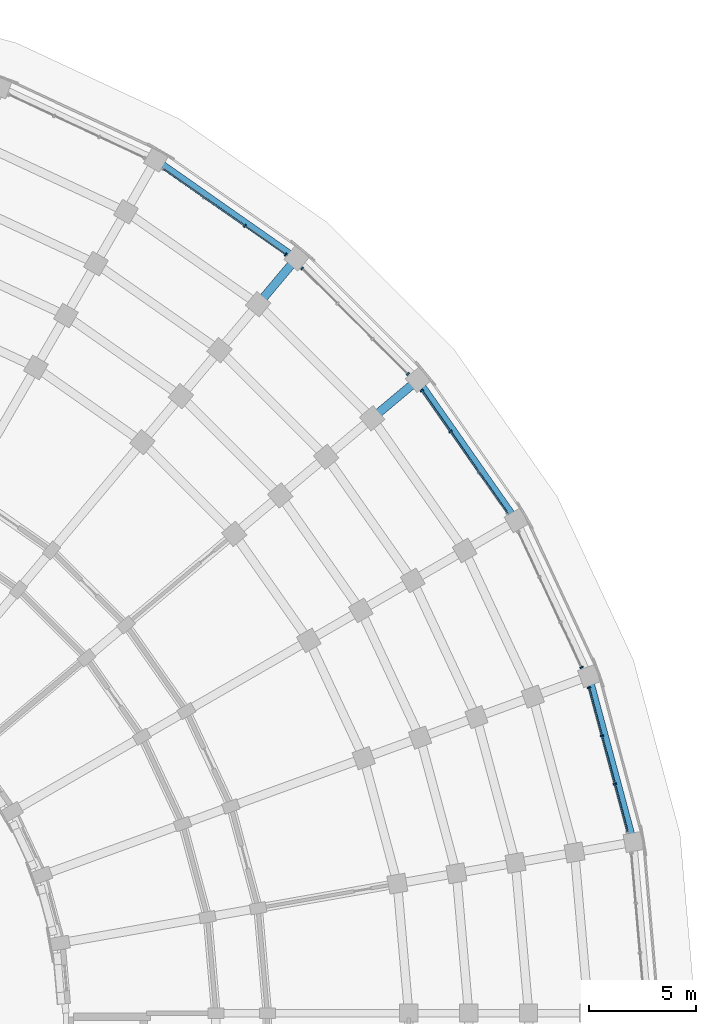
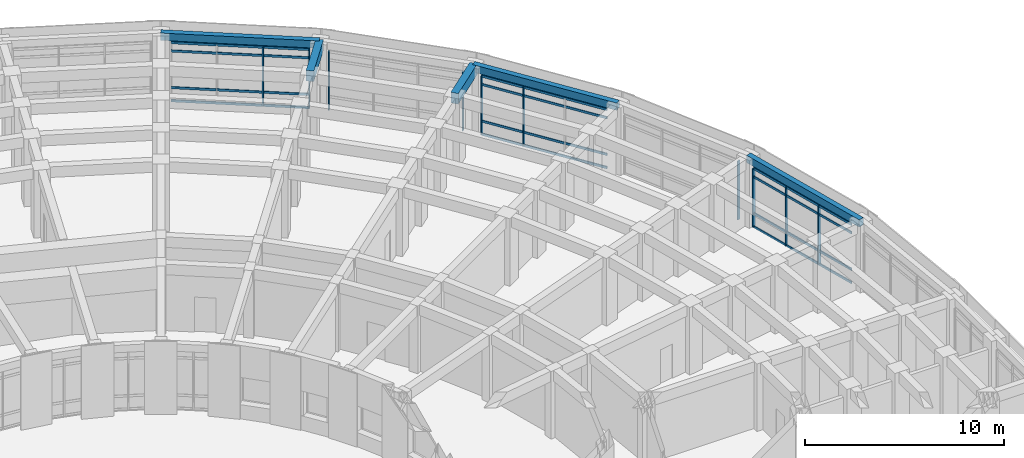
# One storey, part 53 of 135: 22 members, 5 beams, 5 elements without a shape of their own.
"""IFC4 building model written with IfcOpenShell, lengths in metres."""

from ifc_helpers import new_model, si_unit, direction, frame, origin, origin_2d, place, context, subcontext, project, spatial, rectangle, extrude, material, material_profile, profile_set, type_object, element, aggregate, save


model = new_model("IFC4")

# Units and contexts
model_context = context("Model", 3, precision=1e-05, world=origin(), true_north=direction((0.0, 1.0)))
body_context = subcontext(model_context, "Body", "Model", "MODEL_VIEW")
ifc_project = project(units=[si_unit("LENGTHUNIT", "METRE"), si_unit("AREAUNIT", "SQUARE_METRE"), si_unit("VOLUMEUNIT", "CUBIC_METRE"), si_unit("PLANEANGLEUNIT", "RADIAN"), si_unit("MASSUNIT", "GRAM", prefix="KILO")], contexts=[model_context])

# Site, building, storey
site_placement = place(None, origin())
site = spatial("IfcSite", under=ifc_project, at=site_placement, CompositionType="ELEMENT")
building_placement = place(site_placement, origin())
building = spatial("IfcBuilding", under=site, at=building_placement, Name="Kiranvali Square Residences", CompositionType="ELEMENT")
storey_placement = place(building_placement, origin())
storey = spatial("IfcBuildingStorey", under=building, at=storey_placement, Name="L00", CompositionType="ELEMENT", Elevation=0.0)

# Beams
ifc_material_1 = material(Name="Concrete M45 (45 MPa)", Category="concrete")
ifc_material_profile_1 = material_profile(ifc_material_1, rectangle(XDim=0.39990234375, YDim=0.64990234375, at=origin_2d()), Name="RC 400x650")
ifc_profile_set_1 = profile_set([ifc_material_profile_1], Name="Concrete M45 (45 MPa)")
beam_type_1 = type_object("IfcBeamType", Name="BM-M45-400x650", PredefinedType="BEAM", material=ifc_profile_set_1)
for number, where, z_axis, x_axis, name in (
    (1, (147.568359375, 120.89306640625, 3.824951171875), (0.642770757628, 0.766058583359, 0.0), (-0.766058583359, 0.642770757628, 0.0), "L00 beam BM-B-L00-RAD04-67"),
    (2, (152.89306640625, 115.568359375, 3.824951171875), (0.766058583359, 0.642770757628, 0.0), (-0.642770757628, 0.766058583359, 0.0), "L00 beam BM-B-L00-RAD05-67"),
):
    element("IfcBeam", number, at=place(storey_placement, frame(where, z_axis=z_axis, x_axis=x_axis)), inside=storey, type_object=beam_type_1, Name=name, PredefinedType="BEAM", context=body_context, shape_type="SweptSolid", body=[
        extrude(rectangle(XDim=0.39990234375, YDim=0.64990234375, at=origin_2d()), origin(), (0.0, 0.0, 1.0), 2.800048828125),
    ])

# Curtain wall, members
ifc_material_2 = material(Name="Anodised bronze aluminium framing", Category="aluminium")
curtain_wall_type = type_object("IfcCurtainWallType", Name="CW-RET-SHOP", PredefinedType="USERDEFINED", material=ifc_material_2)
curtain_wall_1_placement = place(storey_placement, origin())
curtain_wall_1 = element("IfcCurtainWall", 3, at=curtain_wall_1_placement, inside=storey, type_object=curtain_wall_type, Name="Block B L00 rounded-corner arcade curtain wall 4", ObjectType="CURTAIN WALL", PredefinedType="USERDEFINED")
ifc_material_profile_2 = material_profile(ifc_material_2, rectangle(XDim=0.06494140625, YDim=0.159912109375, at=origin_2d()), Name="ALU 65x160")
ifc_profile_set_2 = profile_set([ifc_material_profile_2], Name="Anodised bronze aluminium framing")
member_type_1 = type_object("IfcMemberType", Name="CW-MUL-160", PredefinedType="MULLION", material=ifc_profile_set_2)
member_1_placement = place(storey_placement, frame((146.95068359375, 124.547607421875, 0.02001953125), z_axis=(0.0, 0.0, 1.0), x_axis=(0.819152044289, -0.573576436351, 0.0)))
member_1 = element("IfcMember", 4, at=member_1_placement, type_object=member_type_1, Name="CW-B-L00-CRV-03 vertical mullion 3", PredefinedType="MULLION", context=body_context, shape_type="SweptSolid", body=[
    extrude(rectangle(XDim=0.06494140625, YDim=0.159912109375, at=origin_2d()), origin(), (0.0, 0.0, 1.0), 3.60986328125),
])
member_2_placement = place(storey_placement, frame((148.856201171875, 123.21337890625, 0.02001953125), z_axis=(0.0, 0.0, 1.0), x_axis=(0.819152044289, -0.573576436351, 0.0)))
member_2 = element("IfcMember", 5, at=member_2_placement, type_object=member_type_1, Name="CW-B-L00-CRV-03 vertical mullion 4", PredefinedType="MULLION", context=body_context, shape_type="SweptSolid", body=[
    extrude(rectangle(XDim=0.06494140625, YDim=0.159912109375, at=origin_2d()), origin(), (0.0, 0.0, 1.0), 3.60986328125),
])

curtain_wall_2_placement = place(storey_placement, origin())
curtain_wall_2 = element("IfcCurtainWall", 6, at=curtain_wall_2_placement, inside=storey, type_object=curtain_wall_type, Name="Block B L00 rounded-corner arcade curtain wall 5", ObjectType="CURTAIN WALL", PredefinedType="USERDEFINED")
member_3_placement = place(storey_placement, frame((149.6298828125, 122.564208984375, 0.02001953125), z_axis=(0.0, 0.0, 1.0), x_axis=(0.707106781187, -0.707106781187, 0.0)))
member_3 = element("IfcMember", 7, at=member_3_placement, type_object=member_type_1, Name="CW-B-L00-CRV-04 vertical mullion 1", PredefinedType="MULLION", context=body_context, shape_type="SweptSolid", body=[
    extrude(rectangle(XDim=0.06494140625, YDim=0.159912109375, at=origin_2d()), origin(), (0.0, 0.0, 1.0), 3.60986328125),
])
member_4_placement = place(storey_placement, frame((154.564208984375, 117.6298828125, 0.02001953125), z_axis=(0.0, 0.0, 1.0), x_axis=(0.707106781187, -0.707106781187, 0.0)))
member_4 = element("IfcMember", 8, at=member_4_placement, type_object=member_type_1, Name="CW-B-L00-CRV-04 vertical mullion 4", PredefinedType="MULLION", context=body_context, shape_type="SweptSolid", body=[
    extrude(rectangle(XDim=0.06494140625, YDim=0.159912109375, at=origin_2d()), origin(), (0.0, 0.0, 1.0), 3.60986328125),
])
aggregate(curtain_wall_2, [member_3, member_4])

curtain_wall_3_placement = place(storey_placement, origin())
curtain_wall_3 = element("IfcCurtainWall", 9, at=curtain_wall_3_placement, inside=storey, type_object=curtain_wall_type, Name="Block B L00 rounded-corner arcade curtain wall 6", ObjectType="CURTAIN WALL", PredefinedType="USERDEFINED")
member_5_placement = place(storey_placement, frame((155.21337890625, 116.856201171875, 0.02001953125), z_axis=(0.0, 0.0, 1.0), x_axis=(0.573576436351, -0.819152044289, 0.0)))
member_5 = element("IfcMember", 10, at=member_5_placement, type_object=member_type_1, Name="CW-B-L00-CRV-05 vertical mullion 1", PredefinedType="MULLION", context=body_context, shape_type="SweptSolid", body=[
    extrude(rectangle(XDim=0.06494140625, YDim=0.159912109375, at=origin_2d()), origin(), (0.0, 0.0, 1.0), 3.60986328125),
])
member_6_placement = place(storey_placement, frame((156.547607421875, 114.95068359375, 0.02001953125), z_axis=(0.0, 0.0, 1.0), x_axis=(0.573576436351, -0.819152044289, 0.0)))
member_6 = element("IfcMember", 11, at=member_6_placement, type_object=member_type_1, Name="CW-B-L00-CRV-05 vertical mullion 2", PredefinedType="MULLION", context=body_context, shape_type="SweptSolid", body=[
    extrude(rectangle(XDim=0.06494140625, YDim=0.159912109375, at=origin_2d()), origin(), (0.0, 0.0, 1.0), 3.60986328125),
])

# Curtain wall, member
curtain_wall_4_placement = place(storey_placement, origin())
curtain_wall_4 = element("IfcCurtainWall", 12, at=curtain_wall_4_placement, inside=storey, type_object=curtain_wall_type, Name="Block B L00 rounded-corner arcade curtain wall 7", ObjectType="CURTAIN WALL", PredefinedType="USERDEFINED")
member_7_placement = place(storey_placement, frame((162.670166015625, 103.94091796875, 0.02001953125), z_axis=(0.0, 0.0, 1.0), x_axis=(0.422618261741, -0.906307787037, 0.0)))
member_7 = element("IfcMember", 13, at=member_7_placement, type_object=member_type_1, Name="CW-B-L00-CRV-06 vertical mullion 4", PredefinedType="MULLION", context=body_context, shape_type="SweptSolid", body=[
    extrude(rectangle(XDim=0.06494140625, YDim=0.159912109375, at=origin_2d()), origin(), (0.0, 0.0, 1.0), 3.60986328125),
])
aggregate(curtain_wall_4, [member_7])

# Curtain wall, members
curtain_wall_5_placement = place(storey_placement, origin())
curtain_wall_5 = element("IfcCurtainWall", 14, at=curtain_wall_5_placement, inside=storey, type_object=curtain_wall_type, Name="Block B L00 rounded-corner arcade curtain wall 8", ObjectType="CURTAIN WALL", PredefinedType="USERDEFINED")
member_8_placement = place(storey_placement, frame((163.015625, 102.99169921875, 0.02001953125), z_axis=(0.0, 0.0, 1.0), x_axis=(0.258819045103, -0.965925826289, 0.0)))
member_8 = element("IfcMember", 15, at=member_8_placement, type_object=member_type_1, Name="CW-B-L00-CRV-07 vertical mullion 1", PredefinedType="MULLION", context=body_context, shape_type="SweptSolid", body=[
    extrude(rectangle(XDim=0.06494140625, YDim=0.159912109375, at=origin_2d()), origin(), (0.0, 0.0, 1.0), 3.60986328125),
])
member_9_placement = place(storey_placement, frame((163.61767578125, 100.744873046875, 0.02001953125), z_axis=(0.0, 0.0, 1.0), x_axis=(0.258819045103, -0.965925826289, 0.0)))
member_9 = element("IfcMember", 16, at=member_9_placement, type_object=member_type_1, Name="CW-B-L00-CRV-07 vertical mullion 2", PredefinedType="MULLION", context=body_context, shape_type="SweptSolid", body=[
    extrude(rectangle(XDim=0.06494140625, YDim=0.159912109375, at=origin_2d()), origin(), (0.0, 0.0, 1.0), 3.60986328125),
])
member_10_placement = place(storey_placement, frame((164.2197265625, 98.498046875, 0.02001953125), z_axis=(0.0, 0.0, 1.0), x_axis=(0.258819045103, -0.965925826289, 0.0)))
member_10 = element("IfcMember", 17, at=member_10_placement, type_object=member_type_1, Name="CW-B-L00-CRV-07 vertical mullion 3", PredefinedType="MULLION", context=body_context, shape_type="SweptSolid", body=[
    extrude(rectangle(XDim=0.06494140625, YDim=0.159912109375, at=origin_2d()), origin(), (0.0, 0.0, 1.0), 3.60986328125),
])

# Member
ifc_material_profile_3 = material_profile(ifc_material_2, rectangle(XDim=0.06494140625, YDim=0.139892578125, at=origin_2d()), Name="ALU 65x140")
ifc_profile_set_3 = profile_set([ifc_material_profile_3], Name="Anodised bronze aluminium framing")
member_type_2 = type_object("IfcMemberType", Name="CW-TRN-140", PredefinedType="MULLION", material=ifc_profile_set_3)
member_11_placement = place(storey_placement, frame((143.148193359375, 127.210205078125, 0.0400390625), z_axis=(0.819164332124, -0.573558887104, 0.0), x_axis=(0.573558887104, 0.819164332124, 0.0)))
member_11 = element("IfcMember", 18, at=member_11_placement, type_object=member_type_2, Name="CW-B-L00-CRV-03 horizontal transom 1", PredefinedType="MULLION", context=body_context, shape_type="SweptSolid", body=[
    extrude(rectangle(XDim=0.06494140625, YDim=0.139892578125, at=origin_2d()), origin(), (0.0, 0.0, 1.0), 6.958251953125),
])

member_12_placement = place(storey_placement, frame((143.148193359375, 127.210205078125, 0.85009765625), z_axis=(0.819164332124, -0.573558887104, 0.0), x_axis=(0.573558887104, 0.819164332124, 0.0)))
member_12 = element("IfcMember", 19, at=member_12_placement, type_object=member_type_2, Name="CW-B-L00-CRV-03 horizontal transom 2", PredefinedType="MULLION", context=body_context, shape_type="SweptSolid", body=[
    extrude(rectangle(XDim=0.06494140625, YDim=0.139892578125, at=origin_2d()), origin(), (0.0, 0.0, 1.0), 6.958251953125),
])

member_13_placement = place(storey_placement, frame((143.148193359375, 127.210205078125, 3.10009765625), z_axis=(0.819164332124, -0.573558887104, 0.0), x_axis=(0.573558887104, 0.819164332124, 0.0)))
member_13 = element("IfcMember", 20, at=member_13_placement, type_object=member_type_2, Name="CW-B-L00-CRV-03 horizontal transom 3", PredefinedType="MULLION", context=body_context, shape_type="SweptSolid", body=[
    extrude(rectangle(XDim=0.06494140625, YDim=0.139892578125, at=origin_2d()), origin(), (0.0, 0.0, 1.0), 6.958251953125),
])

member_14_placement = place(storey_placement, frame((143.148193359375, 127.210205078125, 3.610107421875), z_axis=(0.819164332124, -0.573558887104, 0.0), x_axis=(0.573558887104, 0.819164332124, 0.0)))
member_14 = element("IfcMember", 21, at=member_14_placement, type_object=member_type_2, Name="CW-B-L00-CRV-03 horizontal transom 4", PredefinedType="MULLION", context=body_context, shape_type="SweptSolid", body=[
    extrude(rectangle(XDim=0.06494140625, YDim=0.139892578125, at=origin_2d()), origin(), (0.0, 0.0, 1.0), 6.958251953125),
])

aggregate(curtain_wall_1, [member_1, member_2, member_11, member_12, member_13, member_14])

member_15_placement = place(storey_placement, frame((155.21923828125, 116.84814453125, 0.0400390625), z_axis=(0.573558887104, -0.819164332124, 0.0), x_axis=(0.819164332124, 0.573558887104, 0.0)))
member_15 = element("IfcMember", 22, at=member_15_placement, type_object=member_type_2, Name="CW-B-L00-CRV-05 horizontal transom 1", PredefinedType="MULLION", context=body_context, shape_type="SweptSolid", body=[
    extrude(rectangle(XDim=0.06494140625, YDim=0.139892578125, at=origin_2d()), origin(), (0.0, 0.0, 1.0), 6.958251953125),
])

member_16_placement = place(storey_placement, frame((155.21923828125, 116.84814453125, 0.85009765625), z_axis=(0.573558887104, -0.819164332124, 0.0), x_axis=(0.819164332124, 0.573558887104, 0.0)))
member_16 = element("IfcMember", 23, at=member_16_placement, type_object=member_type_2, Name="CW-B-L00-CRV-05 horizontal transom 2", PredefinedType="MULLION", context=body_context, shape_type="SweptSolid", body=[
    extrude(rectangle(XDim=0.06494140625, YDim=0.139892578125, at=origin_2d()), origin(), (0.0, 0.0, 1.0), 6.958251953125),
])

member_17_placement = place(storey_placement, frame((155.21923828125, 116.84814453125, 3.10009765625), z_axis=(0.573558887104, -0.819164332124, 0.0), x_axis=(0.819164332124, 0.573558887104, 0.0)))
member_17 = element("IfcMember", 24, at=member_17_placement, type_object=member_type_2, Name="CW-B-L00-CRV-05 horizontal transom 3", PredefinedType="MULLION", context=body_context, shape_type="SweptSolid", body=[
    extrude(rectangle(XDim=0.06494140625, YDim=0.139892578125, at=origin_2d()), origin(), (0.0, 0.0, 1.0), 6.958251953125),
])

member_18_placement = place(storey_placement, frame((155.21923828125, 116.84814453125, 3.610107421875), z_axis=(0.573558887104, -0.819164332124, 0.0), x_axis=(0.819164332124, 0.573558887104, 0.0)))
member_18 = element("IfcMember", 25, at=member_18_placement, type_object=member_type_2, Name="CW-B-L00-CRV-05 horizontal transom 4", PredefinedType="MULLION", context=body_context, shape_type="SweptSolid", body=[
    extrude(rectangle(XDim=0.06494140625, YDim=0.139892578125, at=origin_2d()), origin(), (0.0, 0.0, 1.0), 6.958251953125),
])

aggregate(curtain_wall_3, [member_5, member_6, member_15, member_16, member_17, member_18])

member_19_placement = place(storey_placement, frame((163.01806640625, 102.982177734375, 0.0400390625), z_axis=(0.258830788495, -0.96592267958, 0.0), x_axis=(0.96592267958, 0.258830788495, 0.0)))
member_19 = element("IfcMember", 26, at=member_19_placement, type_object=member_type_2, Name="CW-B-L00-CRV-07 horizontal transom 1", PredefinedType="MULLION", context=body_context, shape_type="SweptSolid", body=[
    extrude(rectangle(XDim=0.06494140625, YDim=0.139892578125, at=origin_2d()), origin(), (0.0, 0.0, 1.0), 6.958251953125),
])

member_20_placement = place(storey_placement, frame((163.01806640625, 102.982177734375, 0.85009765625), z_axis=(0.258830788495, -0.96592267958, 0.0), x_axis=(0.96592267958, 0.258830788495, 0.0)))
member_20 = element("IfcMember", 27, at=member_20_placement, type_object=member_type_2, Name="CW-B-L00-CRV-07 horizontal transom 2", PredefinedType="MULLION", context=body_context, shape_type="SweptSolid", body=[
    extrude(rectangle(XDim=0.06494140625, YDim=0.139892578125, at=origin_2d()), origin(), (0.0, 0.0, 1.0), 6.958251953125),
])

member_21_placement = place(storey_placement, frame((163.01806640625, 102.982177734375, 3.10009765625), z_axis=(0.258830788495, -0.96592267958, 0.0), x_axis=(0.96592267958, 0.258830788495, 0.0)))
member_21 = element("IfcMember", 28, at=member_21_placement, type_object=member_type_2, Name="CW-B-L00-CRV-07 horizontal transom 3", PredefinedType="MULLION", context=body_context, shape_type="SweptSolid", body=[
    extrude(rectangle(XDim=0.06494140625, YDim=0.139892578125, at=origin_2d()), origin(), (0.0, 0.0, 1.0), 6.958251953125),
])

member_22_placement = place(storey_placement, frame((163.01806640625, 102.982177734375, 3.610107421875), z_axis=(0.258830788495, -0.96592267958, 0.0), x_axis=(0.96592267958, 0.258830788495, 0.0)))
member_22 = element("IfcMember", 29, at=member_22_placement, type_object=member_type_2, Name="CW-B-L00-CRV-07 horizontal transom 4", PredefinedType="MULLION", context=body_context, shape_type="SweptSolid", body=[
    extrude(rectangle(XDim=0.06494140625, YDim=0.139892578125, at=origin_2d()), origin(), (0.0, 0.0, 1.0), 6.958251953125),
])

aggregate(curtain_wall_5, [member_8, member_9, member_10, member_19, member_20, member_21, member_22])

# Beams
ifc_material_3 = material(Name="Concrete M40 (40 MPa)", Category="concrete")
ifc_material_profile_4 = material_profile(ifc_material_3, rectangle(XDim=0.300048828125, YDim=0.449951171875, at=origin_2d()), Name="RC 300x450")
ifc_profile_set_4 = profile_set([ifc_material_profile_4], Name="Concrete M40 (40 MPa)")
beam_type_2 = type_object("IfcBeamType", Name="SPN-M40-300x450", PredefinedType="SPANDREL", material=ifc_profile_set_4)
for number, where, z_axis, x_axis, name in (
    (30, (142.800048828125, 127.63720703125, 3.925048828125), (0.819147515001, -0.573582904791, 0.0), (0.573582904791, 0.819147515001, 0.0), "L00 beam BM-B-L00-C03-R7"),
    (31, (155.0380859375, 117.3681640625, 3.925048828125), (0.573582904791, -0.819147515001, 0.0), (0.819147515001, 0.573582904791, 0.0), "L00 beam BM-B-L00-C05-R7"),
    (32, (163.02587890625, 103.532958984375, 3.925048828125), (0.258807108475, -0.96592902462, 0.0), (0.96592902462, 0.258807108475, 0.0), "L00 beam BM-B-L00-C07-R7"),
):
    element("IfcBeam", number, at=place(storey_placement, frame(where, z_axis=z_axis, x_axis=x_axis)), inside=storey, type_object=beam_type_2, Name=name, PredefinedType="SPANDREL", context=body_context, shape_type="SweptSolid", body=[
        extrude(rectangle(XDim=0.300048828125, YDim=0.449951171875, at=origin_2d()), origin(), (0.0, 0.0, 1.0), 8.018310546875),
    ])

save(model, "model.ifc")
